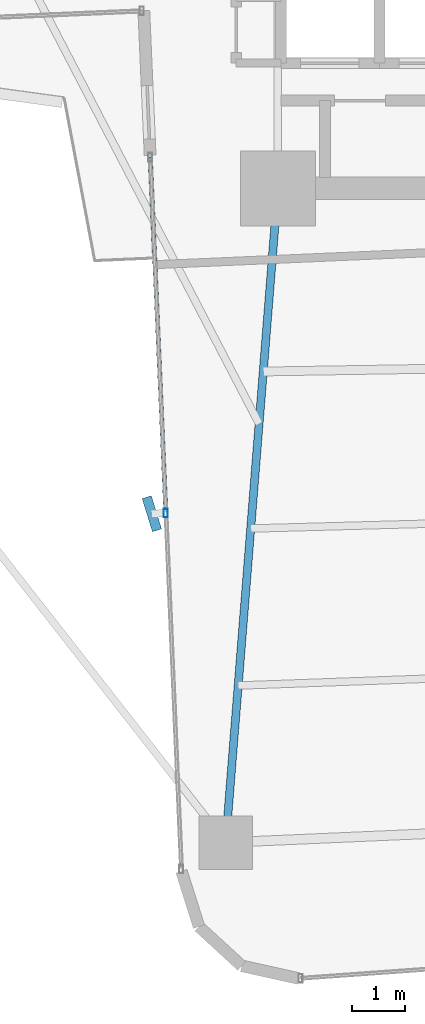
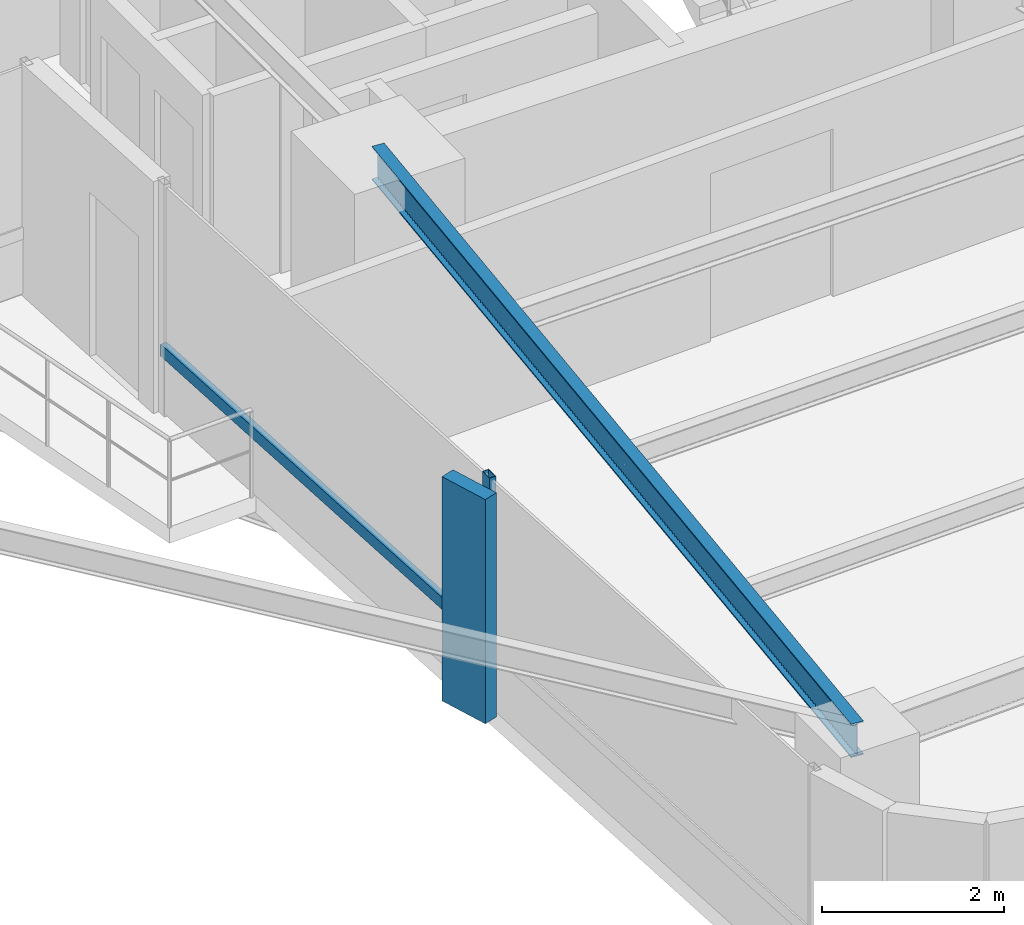
# One storey, part 4 of 26: 3 members, 1 beam, 1 element without a shape of its own.
"""IFC4 building model written with IfcOpenShell, lengths in metres."""

from ifc_helpers import new_model, si_unit, direction, frame, origin, origin_2d, place, context, subcontext, project, spatial, rectangle, hollow_rectangle, i_section, extrude, source, transform, mapped, material, material_profile, profile_set, type_object, element, aggregate, save


model = new_model("IFC4")

# Units and contexts
model_context = context("Model", 3, precision=1e-05, world=origin(), true_north=direction((0.0, 1.0)))
body_context = subcontext(model_context, "Body", "Model", "MODEL_VIEW")
ifc_project = project(units=[si_unit("LENGTHUNIT", "METRE"), si_unit("AREAUNIT", "SQUARE_METRE"), si_unit("VOLUMEUNIT", "CUBIC_METRE"), si_unit("PLANEANGLEUNIT", "RADIAN"), si_unit("MASSUNIT", "GRAM", prefix="KILO")], contexts=[model_context])

# Site, building, storey
site_placement = place(None, origin())
site = spatial("IfcSite", under=ifc_project, at=site_placement, CompositionType="ELEMENT")
building_placement = place(site_placement, origin())
building = spatial("IfcBuilding", under=site, at=building_placement, Name="Sahyath Konkavel Grand Hotel", CompositionType="ELEMENT")
storey_placement = place(building_placement, frame((0.0, 0.0, 131.550048828125)))
storey = spatial("IfcBuildingStorey", under=building, at=storey_placement, Name="L36", CompositionType="ELEMENT", Elevation=131.550048828125)

# Beam
ifc_material_1 = material(Name="Steel E350", Category="steel")
ifc_material_profile_1 = material_profile(ifc_material_1, i_section(OverallWidth=0.14990234375, OverallDepth=0.449951171875, WebThickness=0.009521484375, FlangeThickness=0.017333984375, FilletRadius=0.014892578125, at=origin_2d()), Name="ISMB 450")
ifc_profile_set_1 = profile_set([ifc_material_profile_1], Name="Steel E350")
beam_type = type_object("IfcBeamType", Name="BM-ISMB450", PredefinedType="BEAM", material=ifc_profile_set_1)
shared_shape_1 = source(origin(), body_context, "Body", "SweptSolid", [
    extrude(i_section(OverallWidth=0.14990234375, OverallDepth=0.449951171875, WebThickness=0.009521484375, FlangeThickness=0.017333984375, FilletRadius=0.014892578125, at=origin_2d()), origin(), (0.0, 0.0, 1.0), 12.2685546875),
])
beam_placement = place(storey_placement, frame((-3.800048828125, -10.199951171875, 2.885009765625), z_axis=(-0.079558563357, -0.996830193662, 0.0), x_axis=(0.996830193662, -0.079558563357, 0.0)))
element("IfcBeam", 1, at=beam_placement, inside=storey, type_object=beam_type, Name="L36 Cruciform Radial Girder SA", PredefinedType="BEAM", context=body_context, shape_type="MappedRepresentation", body=[
    mapped(shared_shape_1, transform((0.0, 0.0, 0.0), scale=1.0)),
])

# Curtain wall, members
ifc_material_2 = material(Name="Anodised Bronze Aluminium & Low-E Glazing", Category="aluminium")
curtain_wall_type = type_object("IfcCurtainWallType", Name="CW-ZONE2", PredefinedType="NOTDEFINED", material=ifc_material_2)
curtain_wall_placement = place(storey_placement, origin())
curtain_wall = element("IfcCurtainWall", 2, at=curtain_wall_placement, inside=storey, type_object=curtain_wall_type, Name="L36 Unitised Curtain Wall F24", PredefinedType="NOTDEFINED")
ifc_material_3 = material(Name="Anodised Bronze Aluminium", Category="aluminium")
ifc_material_profile_2 = material_profile(ifc_material_3, hollow_rectangle(XDim=0.080078125, YDim=0.159912109375, WallThickness=0.006103515625, at=origin_2d()), Name="RHS 160x80x6")
ifc_profile_set_2 = profile_set([ifc_material_profile_2], Name="Anodised Bronze Aluminium")
member_type_1 = type_object("IfcMemberType", Name="CW-MUL-160", PredefinedType="MULLION", material=ifc_profile_set_2)
shared_shape_2 = source(origin(), body_context, "Body", "SweptSolid", [
    extrude(hollow_rectangle(XDim=0.080078125, YDim=0.159912109375, WallThickness=0.006103515625, at=origin_2d()), origin(), (0.0, 0.0, 1.0), 3.10986328125),
])
member_1_placement = place(storey_placement, frame((-5.895751953125, -16.272705078125, 0.0), z_axis=(0.0, 0.0, 1.0), x_axis=(1.0, 0.0, 0.0)))
member_1 = element("IfcMember", 3, at=member_1_placement, type_object=member_type_1, Name="L36 Curtain Wall Mullion F24-1", PredefinedType="MULLION", context=body_context, shape_type="MappedRepresentation", body=[
    mapped(shared_shape_2, transform((0.0, 0.0, 0.0), scale=1.0)),
])
ifc_material_4 = material(Name="Warm Buff Sandstone Cladding on Concrete C50/60", Category="masonry")
ifc_material_profile_3 = material_profile(ifc_material_4, rectangle(XDim=0.179931640625, YDim=0.64990234375, at=origin_2d()), Name="FIN 180x650")
ifc_profile_set_3 = profile_set([ifc_material_profile_3], Name="Warm Buff Sandstone Cladding on Concrete C50/60")
member_type_2 = type_object("IfcMemberType", Name="FIN-SANDSTONE-650", PredefinedType="MULLION", material=ifc_profile_set_3)
shared_shape_3 = source(origin(), body_context, "Body", "SweptSolid", [
    extrude(rectangle(XDim=0.179931640625, YDim=0.64990234375, at=origin_2d()), origin(), (0.0, 0.0, 1.0), 3.010009765625),
])
member_2_placement = place(storey_placement, frame((-6.155517578125, -16.283935546875, 0.050048828125), z_axis=(0.0, 0.0, 1.0), x_axis=(0.955278362122, 0.295708050044, 0.0)))
member_2 = element("IfcMember", 4, at=member_2_placement, type_object=member_type_2, Name="L36 Sandstone Vertical Solar Fin FIN F24-1", PredefinedType="MULLION", context=body_context, shape_type="MappedRepresentation", body=[
    mapped(shared_shape_3, transform((0.0, 0.0, 0.0), scale=1.0)),
])
ifc_material_profile_4 = material_profile(ifc_material_3, hollow_rectangle(XDim=0.080078125, YDim=0.159912109375, WallThickness=0.006103515625, at=origin_2d()), Name="RHS 160x80x6")
ifc_profile_set_4 = profile_set([ifc_material_profile_4], Name="Anodised Bronze Aluminium")
member_type_3 = type_object("IfcMemberType", Name="CW-TRN-160", PredefinedType="USERDEFINED", material=ifc_profile_set_4)
shared_shape_4 = source(origin(), body_context, "Body", "SweptSolid", [
    extrude(hollow_rectangle(XDim=0.080078125, YDim=0.159912109375, WallThickness=0.006103515625, at=origin_2d()), origin(), (0.0, 0.0, 1.0), 6.66015625),
])
member_3_placement = place(storey_placement, frame((-6.186279296875, -9.618896484375, 0.849853515625), z_axis=(0.043621753165, -0.999048118286, 0.0), x_axis=(0.999048118286, 0.043621753165, 0.0)))
member_3 = element("IfcMember", 5, at=member_3_placement, type_object=member_type_3, Name="L36 Curtain Wall Transom F24-0-spandrel", ObjectType="TRANSOM", PredefinedType="USERDEFINED", context=body_context, shape_type="MappedRepresentation", body=[
    mapped(shared_shape_4, transform((0.0, 0.0, 0.0), scale=1.0)),
])
aggregate(curtain_wall, [member_1, member_2, member_3])

save(model, "model.ifc")
